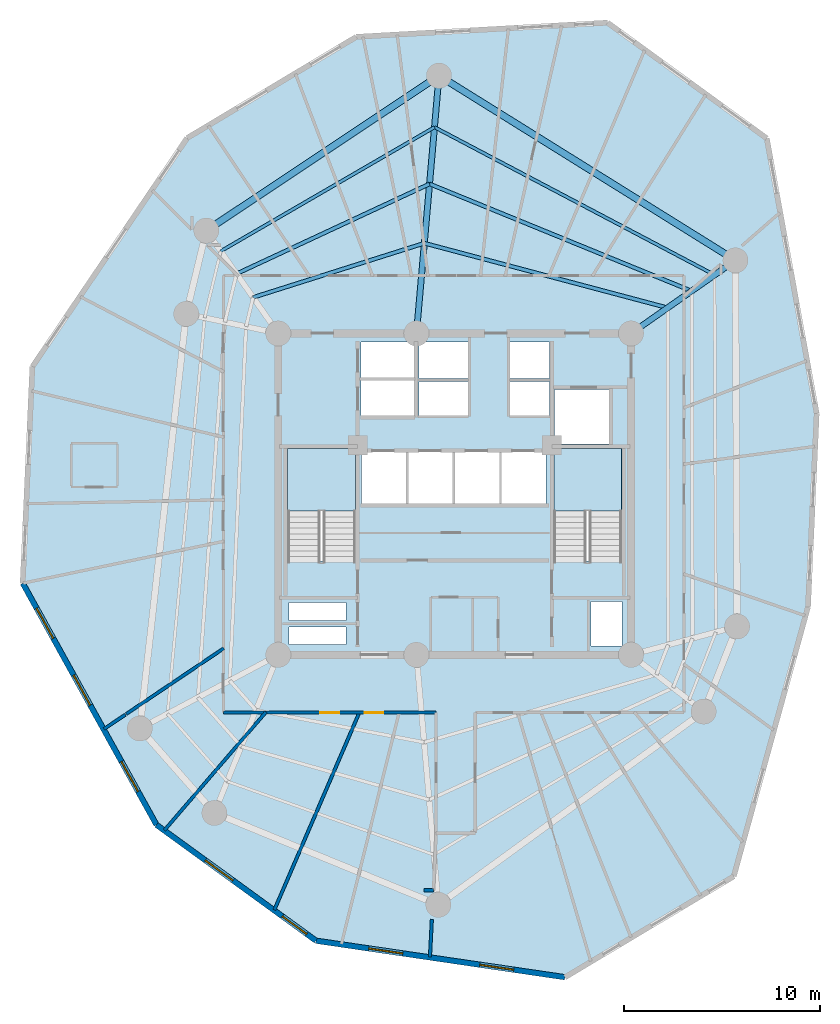
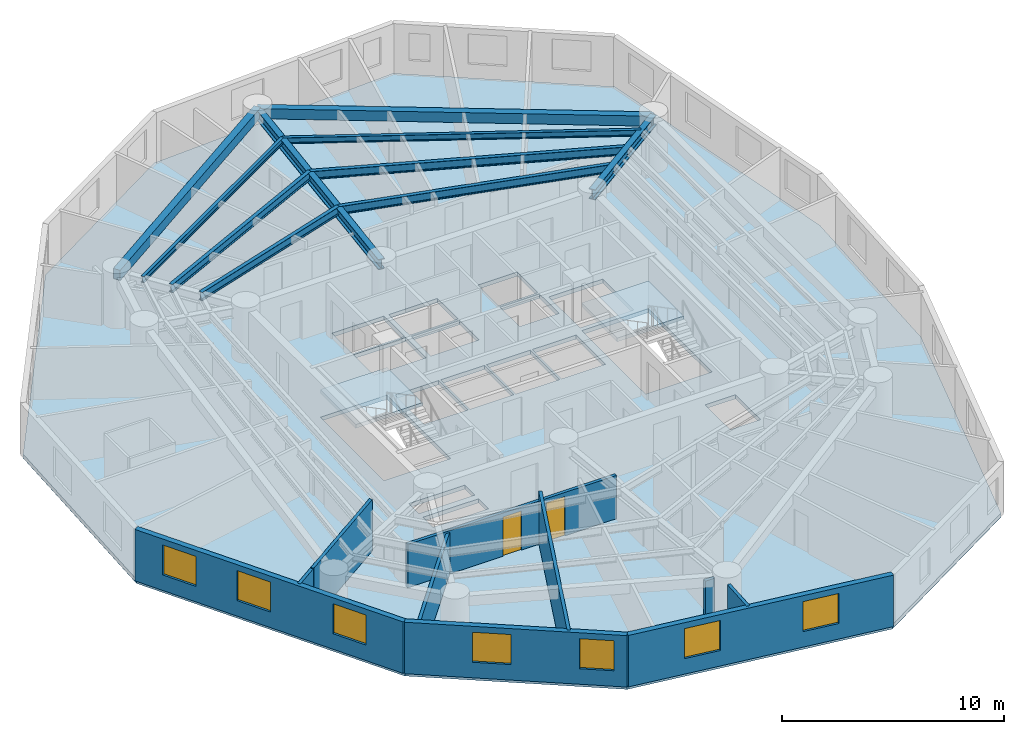
# One storey, part 2 of 8: 10 beams, 10 walls, 7 windows, 3 slabs, 2 doors, 9 openings, 2 elements without a shape of their own.
"""IFC4 building model written with IfcOpenShell, lengths in metres."""

from ifc_helpers import new_model, si_unit, direction, frame, frame_2d, origin, origin_with_axes, origin_2d, place, context, subcontext, project, spatial, polyline, rectangle, i_section, outline, extrude, source, transform, mapped, material, layer, layer_set, material_profile, profile_set, type_object, element, fill, aggregate, save


model = new_model("IFC4")

# Units and contexts
model_context = context("Model", 3, precision=1e-05, world=origin(), true_north=direction((0.0, 1.0)))
body_context = subcontext(model_context, "Body", "Model", "MODEL_VIEW")
ifc_project = project(units=[si_unit("LENGTHUNIT", "METRE"), si_unit("AREAUNIT", "SQUARE_METRE"), si_unit("VOLUMEUNIT", "CUBIC_METRE"), si_unit("PLANEANGLEUNIT", "RADIAN"), si_unit("MASSUNIT", "GRAM", prefix="KILO")], contexts=[model_context])

# Site, building, storey
site_placement = place(None, origin())
site = spatial("IfcSite", under=ifc_project, at=site_placement, CompositionType="ELEMENT")
building_placement = place(site_placement, origin())
building = spatial("IfcBuilding", under=site, at=building_placement, Name="Karkom Vertical University and Central Library", CompositionType="ELEMENT")
storey_placement = place(building_placement, frame((0.0, 0.0, 180.949951171875)))
storey = spatial("IfcBuildingStorey", under=building, at=storey_placement, Name="L52", CompositionType="ELEMENT", Elevation=180.949951171875)

# Beams
ifc_material_1 = material(Name="Precast concrete C45/55", Category="concrete")
ifc_material_profile_1 = material_profile(ifc_material_1, rectangle(XDim=0.35009765625, YDim=0.550048828125, at=origin_2d()), Name="SPB-350x550")
ifc_profile_set_1 = profile_set([ifc_material_profile_1], Name="Precast concrete C45/55")
beam_type_1 = type_object("IfcBeamType", Name="STR-BM-SP-2", PredefinedType="SPANDREL", material=ifc_profile_set_1)
shared_shape_1 = source(origin_with_axes(), body_context, "Body", "SweptSolid", [
    extrude(rectangle(XDim=0.35009765625, YDim=0.550048828125, at=origin_2d()), origin(), (0.0, 0.0, 1.0), 17.81884765625),
])
beam_1_placement = place(storey_placement, frame((42.823974609375, 38.427978515625, 2.550048828125), z_axis=(-0.848764070164, 0.528771740167, 0.0), x_axis=(-0.528771740167, -0.848764070164, 0.0)))
element("IfcBeam", 1, at=beam_1_placement, inside=storey, type_object=beam_type_1, Name="Level 52 Perimeter Spandrel Beam 02", PredefinedType="SPANDREL", context=body_context, shape_type="MappedRepresentation", body=[
    mapped(shared_shape_1, transform((0.0, 0.0, 0.0), scale=1.0)),
])
shared_shape_2 = source(origin_with_axes(), body_context, "Body", "SweptSolid", [
    extrude(rectangle(XDim=0.35009765625, YDim=0.550048828125, at=origin_2d()), origin(), (0.0, 0.0, 1.0), 14.26318359375),
])
beam_2_placement = place(storey_placement, frame((27.699951171875, 47.85009765625, 2.550048828125), z_axis=(-0.83227406272, -0.554364396876, 0.0), x_axis=(0.554364396876, -0.83227406272, 0.0)))
element("IfcBeam", 2, at=beam_2_placement, inside=storey, type_object=beam_type_1, Name="Level 52 Perimeter Spandrel Beam 03", PredefinedType="SPANDREL", context=body_context, shape_type="MappedRepresentation", body=[
    mapped(shared_shape_2, transform((0.0, 0.0, 0.0), scale=1.0)),
])
ifc_material_2 = material(Name="Steel S355", Category="steel")
ifc_material_profile_2 = material_profile(ifc_material_2, i_section(OverallWidth=0.18994140625, OverallDepth=0.449951171875, WebThickness=0.009521484375, FlangeThickness=0.0146484375, FilletRadius=0.02099609375, at=origin_2d()), Name="IPE 450")
ifc_profile_set_2 = profile_set([ifc_material_profile_2], Name="Steel S355")
beam_type_2 = type_object("IfcBeamType", Name="STR-BM-SB-IPE450", PredefinedType="BEAM", material=ifc_profile_set_2)
shared_shape_3 = source(origin_with_axes(), body_context, "Body", "SweptSolid", [
    extrude(i_section(OverallWidth=0.18994140625, OverallDepth=0.449951171875, WebThickness=0.009521484375, FlangeThickness=0.0146484375, FilletRadius=0.02099609375, at=origin_2d()), origin(), (0.0, 0.0, 1.0), 12.841552734375),
])
beam_3_placement = place(storey_placement, frame((39.36328125, 36.0048828125, 2.60009765625), z_axis=(-0.96646647674, 0.256792814032, 0.0), x_axis=(-0.256792814032, -0.96646647674, 0.0)))
element("IfcBeam", 3, at=beam_3_placement, inside=storey, type_object=beam_type_2, Name="Level 52 Secondary Composite Floor Beam 1.02", PredefinedType="BEAM", context=body_context, shape_type="MappedRepresentation", body=[
    mapped(shared_shape_3, transform((0.0, 0.0, 0.0), scale=1.0)),
])
shared_shape_4 = source(origin_with_axes(), body_context, "Body", "SweptSolid", [
    extrude(i_section(OverallWidth=0.18994140625, OverallDepth=0.449951171875, WebThickness=0.009521484375, FlangeThickness=0.0146484375, FilletRadius=0.02099609375, at=origin_2d()), origin(), (0.0, 0.0, 1.0), 9.1650390625),
])
beam_4_placement = place(storey_placement, frame((26.952392578125, 39.302490234375, 2.60009765625), z_axis=(-0.953318200449, -0.301967562319, 0.0), x_axis=(0.301967562319, -0.953318200449, 0.0)))
element("IfcBeam", 4, at=beam_4_placement, inside=storey, type_object=beam_type_2, Name="Level 52 Secondary Composite Floor Beam 1.03", PredefinedType="BEAM", context=body_context, shape_type="MappedRepresentation", body=[
    mapped(shared_shape_4, transform((0.0, 0.0, 0.0), scale=1.0)),
])
shared_shape_5 = source(origin_with_axes(), body_context, "Body", "SweptSolid", [
    extrude(i_section(OverallWidth=0.18994140625, OverallDepth=0.449951171875, WebThickness=0.009521484375, FlangeThickness=0.0146484375, FilletRadius=0.02099609375, at=origin_2d()), origin(), (0.0, 0.0, 1.0), 14.4443359375),
])
beam_5_placement = place(storey_placement, frame((40.587890625, 36.8623046875, 2.60009765625), z_axis=(-0.925675328736, 0.378318894281, 0.0), x_axis=(-0.378318894281, -0.925675328736, 0.0)))
element("IfcBeam", 5, at=beam_5_placement, inside=storey, type_object=beam_type_2, Name="Level 52 Secondary Composite Floor Beam 2.02", PredefinedType="BEAM", context=body_context, shape_type="MappedRepresentation", body=[
    mapped(shared_shape_5, transform((0.0, 0.0, 0.0), scale=1.0)),
])
shared_shape_6 = source(origin_with_axes(), body_context, "Body", "SweptSolid", [
    extrude(i_section(OverallWidth=0.18994140625, OverallDepth=0.449951171875, WebThickness=0.009521484375, FlangeThickness=0.0146484375, FilletRadius=0.02099609375, at=origin_2d()), origin(), (0.0, 0.0, 1.0), 10.86181640625),
])
beam_6_placement = place(storey_placement, frame((27.217041015625, 42.326904296875, 2.60009765625), z_axis=(-0.90649871419, -0.422208575436, 0.0), x_axis=(0.422208575436, -0.90649871419, 0.0)))
element("IfcBeam", 6, at=beam_6_placement, inside=storey, type_object=beam_type_2, Name="Level 52 Secondary Composite Floor Beam 2.03", PredefinedType="BEAM", context=body_context, shape_type="MappedRepresentation", body=[
    mapped(shared_shape_6, transform((0.0, 0.0, 0.0), scale=1.0)),
])
ifc_material_profile_3 = material_profile(ifc_material_2, i_section(OverallWidth=0.159912109375, OverallDepth=0.330078125, WebThickness=0.007568359375, FlangeThickness=0.011474609375, FilletRadius=0.01806640625, at=origin_2d()), Name="IPE 330")
ifc_profile_set_3 = profile_set([ifc_material_profile_3], Name="Steel S355")
beam_type_3 = type_object("IfcBeamType", Name="STR-BM-SB-IPE330", PredefinedType="BEAM", material=ifc_profile_set_3)
shared_shape_7 = source(origin_with_axes(), body_context, "Body", "SweptSolid", [
    extrude(i_section(OverallWidth=0.159912109375, OverallDepth=0.330078125, WebThickness=0.007568359375, FlangeThickness=0.011474609375, FilletRadius=0.01806640625, at=origin_2d()), origin(), (0.0, 0.0, 1.0), 16.155517578125),
])
beam_7_placement = place(storey_placement, frame((41.75927734375, 37.682373046875, 2.66015625), z_axis=(-0.884486447848, 0.466565883423, 0.0), x_axis=(-0.466565883423, -0.884486447848, 0.0)))
element("IfcBeam", 7, at=beam_7_placement, inside=storey, type_object=beam_type_3, Name="Level 52 Secondary Composite Floor Beam 3.02", PredefinedType="BEAM", context=body_context, shape_type="MappedRepresentation", body=[
    mapped(shared_shape_7, transform((0.0, 0.0, 0.0), scale=1.0)),
])
shared_shape_8 = source(origin_with_axes(), body_context, "Body", "SweptSolid", [
    extrude(i_section(OverallWidth=0.159912109375, OverallDepth=0.330078125, WebThickness=0.007568359375, FlangeThickness=0.011474609375, FilletRadius=0.01806640625, at=origin_2d()), origin(), (0.0, 0.0, 1.0), 12.6083984375),
])
beam_8_placement = place(storey_placement, frame((27.469970703125, 45.219970703125, 2.66015625), z_axis=(-0.865038920595, -0.50170475965, 0.0), x_axis=(0.50170475965, -0.865038920595, 0.0)))
element("IfcBeam", 8, at=beam_8_placement, inside=storey, type_object=beam_type_3, Name="Level 52 Secondary Composite Floor Beam 3.03", PredefinedType="BEAM", context=body_context, shape_type="MappedRepresentation", body=[
    mapped(shared_shape_8, transform((0.0, 0.0, 0.0), scale=1.0)),
])
ifc_material_profile_4 = material_profile(ifc_material_2, i_section(OverallWidth=0.300048828125, OverallDepth=0.550048828125, WebThickness=0.014892578125, FlangeThickness=0.029052734375, FilletRadius=0.027099609375, at=origin_2d()), Name="HE 550 B")
ifc_profile_set_4 = profile_set([ifc_material_profile_4], Name="Steel S355")
beam_type_4 = type_object("IfcBeamType", Name="STR-BM-SB-HE550", PredefinedType="USERDEFINED", material=ifc_profile_set_4)
shared_shape_9 = source(origin_with_axes(), body_context, "Body", "SweptSolid", [
    extrude(i_section(OverallWidth=0.300048828125, OverallDepth=0.550048828125, WebThickness=0.014892578125, FlangeThickness=0.029052734375, FilletRadius=0.027099609375, at=origin_2d()), origin(), (0.0, 0.0, 1.0), 6.49951171875),
])
beam_9_placement = place(storey_placement, frame((37.5, 34.699951171875, 2.550048828125), z_axis=(0.819141909878, 0.573590909517, 0.0), x_axis=(-0.573590909517, 0.819141909878, 0.0)))
element("IfcBeam", 9, at=beam_9_placement, inside=storey, type_object=beam_type_4, Name="Level 52 Radial Frame Girder 02", ObjectType="GIRDER", PredefinedType="USERDEFINED", context=body_context, shape_type="MappedRepresentation", body=[
    mapped(shared_shape_9, transform((0.0, 0.0, 0.0), scale=1.0)),
])
shared_shape_10 = source(origin_with_axes(), body_context, "Body", "SweptSolid", [
    extrude(i_section(OverallWidth=0.300048828125, OverallDepth=0.550048828125, WebThickness=0.014892578125, FlangeThickness=0.029052734375, FilletRadius=0.027099609375, at=origin_2d()), origin(), (0.0, 0.0, 1.0), 13.200439453125),
])
beam_10_placement = place(storey_placement, frame((26.550048828125, 34.699951171875, 2.550048828125), z_axis=(0.087111657164, 0.996198554098, 0.0), x_axis=(-0.996198554098, 0.087111657164, 0.0)))
element("IfcBeam", 10, at=beam_10_placement, inside=storey, type_object=beam_type_4, Name="Level 52 Radial Frame Girder 03", ObjectType="GIRDER", PredefinedType="USERDEFINED", context=body_context, shape_type="MappedRepresentation", body=[
    mapped(shared_shape_10, transform((0.0, 0.0, 0.0), scale=1.0)),
])

# Stair, slab
ifc_material_3 = material(Name="Concrete C45/55", Category="concrete")
stair_type = type_object("IfcStairType", Name="INT-STR-ST-MAIN", PredefinedType="HALF_TURN_STAIR", material=ifc_material_3)
stair_1_placement = place(storey_placement, origin())
stair_1 = element("IfcStair", 11, at=stair_1_placement, inside=storey, type_object=stair_type, Name="Level 52 Tower Protected Exit Stair ST-1", PredefinedType="HALF_TURN_STAIR")
ifc_layer_1 = layer(ifc_material_3, 0.199951171875)
ifc_layer_set_1 = layer_set([ifc_layer_1], Name="Concrete C45/55")
slab_type_1 = type_object("IfcSlabType", Name="INT-SLB-LANDING", PredefinedType="LANDING", material=ifc_layer_set_1)
slab_1_placement = place(storey_placement, frame((0.0, 0.0, 1.324951171875)))
slab_1 = element("IfcSlab", 12, at=slab_1_placement, type_object=slab_type_1, Name="ST-1 landing 1", PredefinedType="LANDING", context=body_context, shape_type="SweptSolid", body=[
    extrude(outline(polyline([(23.43994140625, 25.6298828125), (23.43994140625, 28.820068359375), (19.97998046875, 28.820068359375), (19.97998046875, 25.6298828125), (23.43994140625, 25.6298828125)])), origin(), (0.0, 0.0, 1.0), 0.2001953125),
])
aggregate(stair_1, [slab_1])

stair_2_placement = place(storey_placement, origin())
stair_2 = element("IfcStair", 13, at=stair_2_placement, inside=storey, type_object=stair_type, Name="Level 52 Tower Protected Exit Stair ST-2", PredefinedType="HALF_TURN_STAIR")
slab_2_placement = place(storey_placement, frame((0.0, 0.0, 1.324951171875)))
slab_2 = element("IfcSlab", 14, at=slab_2_placement, type_object=slab_type_1, Name="ST-2 landing 1", PredefinedType="LANDING", context=body_context, shape_type="SweptSolid", body=[
    extrude(outline(polyline([(37.02001953125, 25.6298828125), (37.02001953125, 28.820068359375), (33.56005859375, 28.820068359375), (33.56005859375, 25.6298828125), (37.02001953125, 25.6298828125)])), origin(), (0.0, 0.0, 1.0), 0.2001953125),
])
aggregate(stair_2, [slab_2])

# Slab
ifc_layer_2 = layer(ifc_material_3, 0.22509765625)
ifc_layer_set_2 = layer_set([ifc_layer_2], Name="Concrete C45/55")
slab_type_2 = type_object("IfcSlabType", Name="STR-SLB-FLR-225", PredefinedType="FLOOR", material=ifc_layer_set_2)
slab_3_placement = place(storey_placement, frame((0.0, 0.0, -0.224853515625)))
element("IfcSlab", 15, at=slab_3_placement, inside=storey, type_object=slab_type_2, Name="Level 52 Tower Structural Floor Slab", PredefinedType="FLOOR", context=body_context, shape_type="SweptSolid", body=[
    extrude(outline(polyline([(6.95703125, 33.000244140625), (6.462890625, 21.9482421875), (13.284423828125, 9.6259765625), (21.421875, 3.712890625), (34.122802734375, 1.85009765625), (42.737060546875, 7.001953125), (46.524658203125, 20.75048828125), (46.9658203125, 30.617919921875), (44.420166015625, 44.649658203125), (36.30029296875, 50.5498046875), (23.483642578125, 49.82763671875), (14.85107421875, 44.664794921875), (6.95703125, 33.000244140625)]), holes=[polyline([(19.97998046875, 23.0849609375), (23.43994140625, 23.0849609375), (23.43994140625, 28.820068359375), (19.97998046875, 28.820068359375), (19.97998046875, 23.0849609375)]), polyline([(33.56005859375, 23.0849609375), (37.02001953125, 23.0849609375), (37.02001953125, 28.820068359375), (33.56005859375, 28.820068359375), (33.56005859375, 23.0849609375)]), polyline([(23.75, 26.0), (26.030029296875, 26.0), (26.030029296875, 28.64990234375), (23.75, 28.64990234375), (23.75, 26.0)]), polyline([(26.1298828125, 26.0), (28.409912109375, 26.0), (28.409912109375, 28.64990234375), (26.1298828125, 28.64990234375), (26.1298828125, 26.0)]), polyline([(28.510009765625, 26.0), (30.7900390625, 26.0), (30.7900390625, 28.64990234375), (28.510009765625, 28.64990234375), (28.510009765625, 26.0)]), polyline([(30.889892578125, 26.0), (33.169921875, 26.0), (33.169921875, 28.64990234375), (30.889892578125, 28.64990234375), (30.889892578125, 26.0)]), polyline([(26.679931640625, 30.5), (29.199951171875, 30.5), (29.199951171875, 32.25), (26.679931640625, 32.25), (26.679931640625, 30.5)]), polyline([(26.679931640625, 32.39990234375), (29.199951171875, 32.39990234375), (29.199951171875, 34.25), (26.679931640625, 34.25), (26.679931640625, 32.39990234375)]), polyline([(31.300048828125, 30.5), (33.35009765625, 30.5), (33.35009765625, 32.25), (31.300048828125, 32.25), (31.300048828125, 30.5)]), polyline([(31.300048828125, 32.39990234375), (33.35009765625, 32.39990234375), (33.35009765625, 34.25), (31.300048828125, 34.25), (31.300048828125, 32.39990234375)]), polyline([(23.719970703125, 30.47998046875), (26.429931640625, 30.47998046875), (26.429931640625, 32.320068359375), (23.719970703125, 32.320068359375), (23.719970703125, 30.47998046875)]), polyline([(23.719970703125, 32.419921875), (26.429931640625, 32.419921875), (26.429931640625, 34.260009765625), (23.719970703125, 34.260009765625), (23.719970703125, 32.419921875)]), polyline([(33.60009765625, 29.050048828125), (36.39990234375, 29.050048828125), (36.39990234375, 31.85009765625), (33.60009765625, 31.85009765625), (33.60009765625, 29.050048828125)]), polyline([(20.050048828125, 18.820068359375), (22.949951171875, 18.820068359375), (22.949951171875, 19.719970703125), (20.050048828125, 19.719970703125), (20.050048828125, 18.820068359375)]), polyline([(20.050048828125, 20.06005859375), (22.949951171875, 20.06005859375), (22.949951171875, 20.9599609375), (20.050048828125, 20.9599609375), (20.050048828125, 20.06005859375)]), polyline([(35.4599609375, 18.760009765625), (37.0400390625, 18.760009765625), (37.0400390625, 21.010009765625), (35.4599609375, 21.010009765625), (35.4599609375, 18.760009765625)])]), origin(), (0.0, 0.0, 1.0), 0.224853515625),
])

# Wall, openings, windows
ifc_material_4 = material(Name="Brick-faced precast concrete C45/55", Category="masonry")
ifc_layer_3 = layer(ifc_material_4, 0.280029296875)
ifc_layer_set_3 = layer_set([ifc_layer_3], Name="Brick-faced precast concrete C45/55")
wall_type_1 = type_object("IfcWallType", Name="ENV-WL-BRK-280", PredefinedType="SOLIDWALL", material=ifc_layer_set_3)
wall_1_placement = place(storey_placement, frame((6.462890625, 21.9482421875, 0.0), z_axis=(0.0, 0.0, 1.0), x_axis=(0.484331046547, -0.874884813762, 0.0)))
wall_1 = element("IfcWall", 16, at=wall_1_placement, inside=storey, type_object=wall_type_1, Name="Level 52 Brick-Faced Precast Facade Wall 02", PredefinedType="SOLIDWALL", context=body_context, shape_type="SweptSolid", body=[
    extrude(rectangle(XDim=14.08447265625, YDim=0.280029296875, at=frame_2d((7.042236328125, 0.0))), origin(), (0.0, 0.0, 1.0), 2.824951171875),
])
opening_1_placement = place(wall_1_placement, frame((1.456787109375, 0.0, 0.85009765625)))
opening_1 = element("IfcOpeningElement", 17, at=opening_1_placement, cuts=wall_1, Name="Opening WN-08", PredefinedType="OPENING", context=body_context, shape_type="SweptSolid", body=[
    extrude(rectangle(XDim=1.75, YDim=1.64990234375, at=frame_2d((0.875, 0.824951171875))), frame((0.0, 0.14990234375, 0.0), z_axis=(0.0, -1.0, 0.0), x_axis=(1.0, 0.0, 0.0)), (0.0, 0.0, 1.0), 0.300048828125),
])
opening_2_placement = place(wall_1_placement, frame((5.3603515625, 0.0, 0.85009765625)))
opening_2 = element("IfcOpeningElement", 18, at=opening_2_placement, cuts=wall_1, Name="Opening WN-08", PredefinedType="OPENING", context=body_context, shape_type="SweptSolid", body=[
    extrude(rectangle(XDim=1.75, YDim=1.64990234375, at=frame_2d((0.875, 0.824951171875))), frame((0.0, 0.14990234375, 0.0), z_axis=(0.0, -1.0, 0.0), x_axis=(1.0, 0.0, 0.0)), (0.0, 0.0, 1.0), 0.300048828125),
])
opening_3_placement = place(wall_1_placement, frame((10.390869140625, 0.0, 0.85009765625)))
opening_3 = element("IfcOpeningElement", 19, at=opening_3_placement, cuts=wall_1, Name="Opening WN-08", PredefinedType="OPENING", context=body_context, shape_type="SweptSolid", body=[
    extrude(rectangle(XDim=1.75, YDim=1.64990234375, at=frame_2d((0.875, 0.824951171875))), frame((0.0, 0.14990234375, 0.0), z_axis=(0.0, -1.0, 0.0), x_axis=(1.0, 0.0, 0.0)), (0.0, 0.0, 1.0), 0.300048828125),
])
ifc_material_5 = material(Name="Aluminium thermal-break frame with solar-control IGU", Category="aluminium")
window_type_1 = type_object("IfcWindowType", Name="ENV-WIN-WN-08", PartitioningType="SINGLE_PANEL", PredefinedType="WINDOW", material=ifc_material_5)
shared_shape_11 = source(origin_with_axes(), body_context, "Body", "SweptSolid", [
    extrude(rectangle(XDim=1.75, YDim=1.64990234375, at=frame_2d((0.875, 0.824951171875))), frame((0.0, 0.030029296875, 0.0), z_axis=(0.0, -1.0, 0.0), x_axis=(1.0, 0.0, 0.0)), (0.0, 0.0, 1.0), 0.06005859375),
])
window_1_placement = place(opening_1_placement, origin())
window_1 = element("IfcWindow", 20, at=window_1_placement, inside=storey, type_object=window_type_1, Name="Level 52 Punched Window 2.1", OverallHeight=1.64990234375, OverallWidth=1.75, PartitioningType="SINGLE_PANEL", PredefinedType="WINDOW", context=body_context, shape_type="MappedRepresentation", body=[
    mapped(shared_shape_11, transform((0.0, 0.0, 0.0), scale=1.0)),
])
fill(opening_1, window_1)
window_2_placement = place(opening_2_placement, origin())
window_2 = element("IfcWindow", 21, at=window_2_placement, inside=storey, type_object=window_type_1, Name="Level 52 Punched Window 2.2", OverallHeight=1.64990234375, OverallWidth=1.75, PartitioningType="SINGLE_PANEL", PredefinedType="WINDOW", context=body_context, shape_type="MappedRepresentation", body=[
    mapped(shared_shape_11, transform((0.0, 0.0, 0.0), scale=1.0)),
])
fill(opening_2, window_2)
window_3_placement = place(opening_3_placement, origin())
window_3 = element("IfcWindow", 22, at=window_3_placement, inside=storey, type_object=window_type_1, Name="Level 52 Punched Window 2.3", OverallHeight=1.64990234375, OverallWidth=1.75, PartitioningType="SINGLE_PANEL", PredefinedType="WINDOW", context=body_context, shape_type="MappedRepresentation", body=[
    mapped(shared_shape_11, transform((0.0, 0.0, 0.0), scale=1.0)),
])
fill(opening_3, window_3)

wall_2_placement = place(storey_placement, frame((13.284423828125, 9.6259765625, 0.0), z_axis=(0.0, 0.0, 1.0), x_axis=(0.8089753159, -0.587842613516, 0.0)))
wall_2 = element("IfcWall", 23, at=wall_2_placement, inside=storey, type_object=wall_type_1, Name="Level 52 Brick-Faced Precast Facade Wall 03", PredefinedType="SOLIDWALL", context=body_context, shape_type="SweptSolid", body=[
    extrude(rectangle(XDim=10.05908203125, YDim=0.280029296875, at=frame_2d((5.029541015625, 0.0))), origin(), (0.0, 0.0, 1.0), 2.824951171875),
])
opening_4_placement = place(wall_2_placement, frame((3.076416015625, 0.0, 0.85009765625)))
opening_4 = element("IfcOpeningElement", 24, at=opening_4_placement, cuts=wall_2, Name="Opening WN-08", PredefinedType="OPENING", context=body_context, shape_type="SweptSolid", body=[
    extrude(rectangle(XDim=1.75, YDim=1.64990234375, at=frame_2d((0.875, 0.824951171875))), frame((0.0, 0.14990234375, 0.0), z_axis=(0.0, -1.0, 0.0), x_axis=(1.0, 0.0, 0.0)), (0.0, 0.0, 1.0), 0.300048828125),
])
opening_5_placement = place(wall_2_placement, frame((7.92919921875, 0.0, 0.85009765625)))
opening_5 = element("IfcOpeningElement", 25, at=opening_5_placement, cuts=wall_2, Name="Opening WN-09", PredefinedType="OPENING", context=body_context, shape_type="SweptSolid", body=[
    extrude(rectangle(XDim=1.550048828125, YDim=1.64990234375, at=frame_2d((0.77490234375, 0.824951171875))), frame((0.0, 0.14990234375, 0.0), z_axis=(0.0, -1.0, 0.0), x_axis=(1.0, 0.0, 0.0)), (0.0, 0.0, 1.0), 0.300048828125),
])
window_4_placement = place(opening_4_placement, origin())
window_4 = element("IfcWindow", 26, at=window_4_placement, inside=storey, type_object=window_type_1, Name="Level 52 Punched Window 3.1", OverallHeight=1.64990234375, OverallWidth=1.75, PartitioningType="SINGLE_PANEL", PredefinedType="WINDOW", context=body_context, shape_type="MappedRepresentation", body=[
    mapped(shared_shape_11, transform((0.0, 0.0, 0.0), scale=1.0)),
])
fill(opening_4, window_4)
window_type_2 = type_object("IfcWindowType", Name="ENV-WIN-WN-09", PartitioningType="SINGLE_PANEL", PredefinedType="WINDOW", material=ifc_material_5)
shared_shape_12 = source(origin_with_axes(), body_context, "Body", "SweptSolid", [
    extrude(rectangle(XDim=1.550048828125, YDim=1.64990234375, at=frame_2d((0.77490234375, 0.824951171875))), frame((0.0, 0.030029296875, 0.0), z_axis=(0.0, -1.0, 0.0), x_axis=(1.0, 0.0, 0.0)), (0.0, 0.0, 1.0), 0.06005859375),
])
window_5_placement = place(opening_5_placement, origin())
window_5 = element("IfcWindow", 27, at=window_5_placement, inside=storey, type_object=window_type_2, Name="Level 52 Punched Window 3.2", OverallHeight=1.64990234375, OverallWidth=1.550048828125, PartitioningType="SINGLE_PANEL", PredefinedType="WINDOW", context=body_context, shape_type="MappedRepresentation", body=[
    mapped(shared_shape_12, transform((0.0, 0.0, 0.0), scale=1.0)),
])
fill(opening_5, window_5)

wall_3_placement = place(storey_placement, frame((21.421875, 3.712890625, 0.0), z_axis=(0.0, 0.0, 1.0), x_axis=(0.989415023511, -0.145113442696, 0.0)))
wall_3 = element("IfcWall", 28, at=wall_3_placement, inside=storey, type_object=wall_type_1, Name="Level 52 Brick-Faced Precast Facade Wall 04", PredefinedType="SOLIDWALL", context=body_context, shape_type="SweptSolid", body=[
    extrude(rectangle(XDim=12.8369140625, YDim=0.280029296875, at=frame_2d((6.41845703125, 0.0))), origin(), (0.0, 0.0, 1.0), 2.824951171875),
])
opening_6_placement = place(wall_3_placement, frame((2.718017578125, 0.0, 0.85009765625)))
opening_6 = element("IfcOpeningElement", 29, at=opening_6_placement, cuts=wall_3, Name="Opening WN-08", PredefinedType="OPENING", context=body_context, shape_type="SweptSolid", body=[
    extrude(rectangle(XDim=1.75, YDim=1.64990234375, at=frame_2d((0.875, 0.824951171875))), frame((0.0, 0.14990234375, 0.0), z_axis=(0.0, -1.0, 0.0), x_axis=(1.0, 0.0, 0.0)), (0.0, 0.0, 1.0), 0.300048828125),
])
opening_7_placement = place(wall_3_placement, frame((8.44921875, 0.0, 0.85009765625)))
opening_7 = element("IfcOpeningElement", 30, at=opening_7_placement, cuts=wall_3, Name="Opening WN-08", PredefinedType="OPENING", context=body_context, shape_type="SweptSolid", body=[
    extrude(rectangle(XDim=1.75, YDim=1.64990234375, at=frame_2d((0.875, 0.824951171875))), frame((0.0, 0.14990234375, 0.0), z_axis=(0.0, -1.0, 0.0), x_axis=(1.0, 0.0, 0.0)), (0.0, 0.0, 1.0), 0.300048828125),
])
window_6_placement = place(opening_6_placement, origin())
window_6 = element("IfcWindow", 31, at=window_6_placement, inside=storey, type_object=window_type_1, Name="Level 52 Punched Window 4.1", OverallHeight=1.64990234375, OverallWidth=1.75, PartitioningType="SINGLE_PANEL", PredefinedType="WINDOW", context=body_context, shape_type="MappedRepresentation", body=[
    mapped(shared_shape_11, transform((0.0, 0.0, 0.0), scale=1.0)),
])
fill(opening_6, window_6)
window_7_placement = place(opening_7_placement, origin())
window_7 = element("IfcWindow", 32, at=window_7_placement, inside=storey, type_object=window_type_1, Name="Level 52 Punched Window 4.2", OverallHeight=1.64990234375, OverallWidth=1.75, PartitioningType="SINGLE_PANEL", PredefinedType="WINDOW", context=body_context, shape_type="MappedRepresentation", body=[
    mapped(shared_shape_11, transform((0.0, 0.0, 0.0), scale=1.0)),
])
fill(opening_7, window_7)

# Wall
ifc_material_6 = material(Name="Insulated metal-stud drywall 160mm", Category="gypsum")
ifc_layer_4 = layer(ifc_material_6, 0.159912109375)
ifc_layer_set_4 = layer_set([ifc_layer_4], Name="Insulated metal-stud drywall 160mm")
wall_type_2 = type_object("IfcWallType", Name="INT-WL-COR-160", PredefinedType="PARTITIONING", material=ifc_layer_set_4)
wall_4_placement = place(storey_placement, frame((23.645263671875, 15.377685546875, 0.0), z_axis=(0.0, 0.0, 1.0), x_axis=(-0.39550652106, -0.91846316845, 0.0)))
element("IfcWall", 33, at=wall_4_placement, inside=storey, type_object=wall_type_2, Name="Level 52 Interior Partition Wall L52-PW-007", PredefinedType="PARTITIONING", context=body_context, shape_type="SweptSolid", body=[
    extrude(rectangle(XDim=10.98583984375, YDim=0.159912109375, at=frame_2d((5.492919921875, 0.0))), origin(), (0.0, 0.0, 1.0), 2.824951171875),
])

# Wall, openings, doors
wall_5_placement = place(storey_placement, frame((27.550048828125, 15.35009765625, 0.0), z_axis=(0.0, 0.0, 1.0), x_axis=(-1.0, 0.0, 0.0)))
wall_5 = element("IfcWall", 34, at=wall_5_placement, inside=storey, type_object=wall_type_2, Name="Level 52 Interior Partition Wall L52-CORW-CW-001", PredefinedType="PARTITIONING", context=body_context, shape_type="SweptSolid", body=[
    extrude(rectangle(XDim=10.85009765625, YDim=0.159912109375, at=frame_2d((5.425048828125, 0.0))), origin(), (0.0, 0.0, 1.0), 2.375),
])
opening_8_placement = place(wall_5_placement, frame((4.949951171875, 0.0, 0.0)))
opening_8 = element("IfcOpeningElement", 35, at=opening_8_placement, cuts=wall_5, Name="Opening D-RM1", PredefinedType="OPENING", context=body_context, shape_type="SweptSolid", body=[
    extrude(rectangle(XDim=0.949951171875, YDim=2.14990234375, at=frame_2d((0.47509765625, 1.074951171875))), frame((0.0, 0.08984375, 0.0), z_axis=(0.0, -1.0, 0.0), x_axis=(1.0, 0.0, 0.0)), (0.0, 0.0, 1.0), 0.179931640625),
])
opening_9_placement = place(wall_5_placement, frame((2.6826171875, 0.0, 0.0)))
opening_9 = element("IfcOpeningElement", 36, at=opening_9_placement, cuts=wall_5, Name="Opening FD-RM2", PredefinedType="OPENING", context=body_context, shape_type="SweptSolid", body=[
    extrude(rectangle(XDim=0.9599609375, YDim=2.14990234375, at=frame_2d((0.47998046875, 1.074951171875))), frame((0.0, 0.08984375, 0.0), z_axis=(0.0, -1.0, 0.0), x_axis=(1.0, 0.0, 0.0)), (0.0, 0.0, 1.0), 0.179931640625),
])
ifc_material_7 = material(Name="Fire-rated oak veneer door", Category="wood")
door_type_1 = type_object("IfcDoorType", Name="INT-DR-FRM2", OperationType="NOTDEFINED", PredefinedType="DOOR", material=ifc_material_7)
shared_shape_13 = source(origin_with_axes(), body_context, "Body", "SweptSolid", [
    extrude(rectangle(XDim=0.9599609375, YDim=2.14990234375, at=frame_2d((0.47998046875, 1.074951171875))), frame((0.0, 0.02490234375, 0.0), z_axis=(0.0, -1.0, 0.0), x_axis=(1.0, 0.0, 0.0)), (0.0, 0.0, 1.0), 0.050048828125),
])
door_1_placement = place(opening_9_placement, origin())
door_1 = element("IfcDoor", 37, at=door_1_placement, inside=storey, type_object=door_type_1, Name="Level 52 Room Entry Door 040", OperationType="SINGLE_SWING_LEFT", OverallHeight=2.14990234375, OverallWidth=0.9599609375, PredefinedType="DOOR", context=body_context, shape_type="MappedRepresentation", body=[
    mapped(shared_shape_13, transform((0.0, 0.0, 0.0), scale=1.0)),
])
fill(opening_9, door_1)
ifc_material_8 = material(Name="Solid-core oak veneer door", Category="wood")
door_type_2 = type_object("IfcDoorType", Name="INT-DR-RM1", OperationType="NOTDEFINED", PredefinedType="DOOR", material=ifc_material_8)
shared_shape_14 = source(origin_with_axes(), body_context, "Body", "SweptSolid", [
    extrude(rectangle(XDim=0.949951171875, YDim=2.14990234375, at=frame_2d((0.47509765625, 1.074951171875))), frame((0.0, 0.02490234375, 0.0), z_axis=(0.0, -1.0, 0.0), x_axis=(1.0, 0.0, 0.0)), (0.0, 0.0, 1.0), 0.050048828125),
])
door_2_placement = place(opening_8_placement, origin())
door_2 = element("IfcDoor", 38, at=door_2_placement, inside=storey, type_object=door_type_2, Name="Level 52 Room Entry Door 030", OperationType="SINGLE_SWING_RIGHT", OverallHeight=2.14990234375, OverallWidth=0.949951171875, PredefinedType="DOOR", context=body_context, shape_type="MappedRepresentation", body=[
    mapped(shared_shape_14, transform((0.0, 0.0, 0.0), scale=1.0)),
])
fill(opening_8, door_2)

# Walls
wall_6_placement = place(storey_placement, frame((18.872802734375, 15.38427734375, 0.0), z_axis=(0.0, 0.0, 1.0), x_axis=(-0.651578085273, -0.758581570295, 0.0)))
element("IfcWall", 39, at=wall_6_placement, inside=storey, type_object=wall_type_2, Name="Level 52 Interior Partition Wall L52-PW-005", PredefinedType="PARTITIONING", context=body_context, shape_type="SweptSolid", body=[
    extrude(rectangle(XDim=7.944580078125, YDim=0.159912109375, at=frame_2d((3.97216796875, 0.0))), origin(), (0.0, 0.0, 1.0), 2.275146484375),
])
wall_7_placement = place(storey_placement, frame((16.724853515625, 18.6376953125, 0.0), z_axis=(0.0, 0.0, 1.0), x_axis=(-0.829279952389, -0.558833392493, 0.0)))
element("IfcWall", 40, at=wall_7_placement, inside=storey, type_object=wall_type_2, Name="Level 52 Interior Partition Wall L52-PW-003", PredefinedType="PARTITIONING", context=body_context, shape_type="SweptSolid", body=[
    extrude(rectangle(XDim=6.00146484375, YDim=0.159912109375, at=frame_2d((3.000732421875, 0.0))), origin(), (0.0, 0.0, 1.0), 2.824951171875),
])
wall_8_placement = place(storey_placement, frame((27.3359375, 4.80908203125, 0.0), z_axis=(0.0, 0.0, 1.0), x_axis=(-0.050828995537, -0.998707371162, 0.0)))
element("IfcWall", 41, at=wall_8_placement, inside=storey, type_object=wall_type_2, Name="Level 52 Interior Partition Wall L52-PW-011", PredefinedType="PARTITIONING", context=body_context, shape_type="SweptSolid", body=[
    extrude(rectangle(XDim=1.926025390625, YDim=0.159912109375, at=frame_2d((0.962890625, 0.0))), origin(), (0.0, 0.0, 1.0), 2.824951171875),
])
wall_9_placement = place(storey_placement, frame((11.696044921875, 15.2490234375, 0.0), z_axis=(0.0, 0.0, 1.0), x_axis=(-0.829266427591, -0.558853462072, 0.0)))
element("IfcWall", 42, at=wall_9_placement, inside=storey, type_object=wall_type_2, Name="Level 52 Interior Partition Wall L52-PW-004", PredefinedType="PARTITIONING", context=body_context, shape_type="SweptSolid", body=[
    extrude(rectangle(XDim=1.313720703125, YDim=0.159912109375, at=frame_2d((0.65673828125, 0.0))), origin(), (0.0, 0.0, 1.0), 2.824951171875),
])
wall_10_placement = place(storey_placement, frame((27.411376953125, 6.2890625, 0.0), z_axis=(0.0, 0.0, 1.0), x_axis=(-1.0, 0.0, 0.0)))
element("IfcWall", 43, at=wall_10_placement, inside=storey, type_object=wall_type_2, Name="Level 52 Interior Partition Wall L52-PW-010", PredefinedType="PARTITIONING", context=body_context, shape_type="SweptSolid", body=[
    extrude(rectangle(XDim=0.4853515625, YDim=0.159912109375, at=frame_2d((0.24267578125, 0.0))), origin(), (0.0, 0.0, 1.0), 2.275146484375),
])

save(model, "model.ifc")
